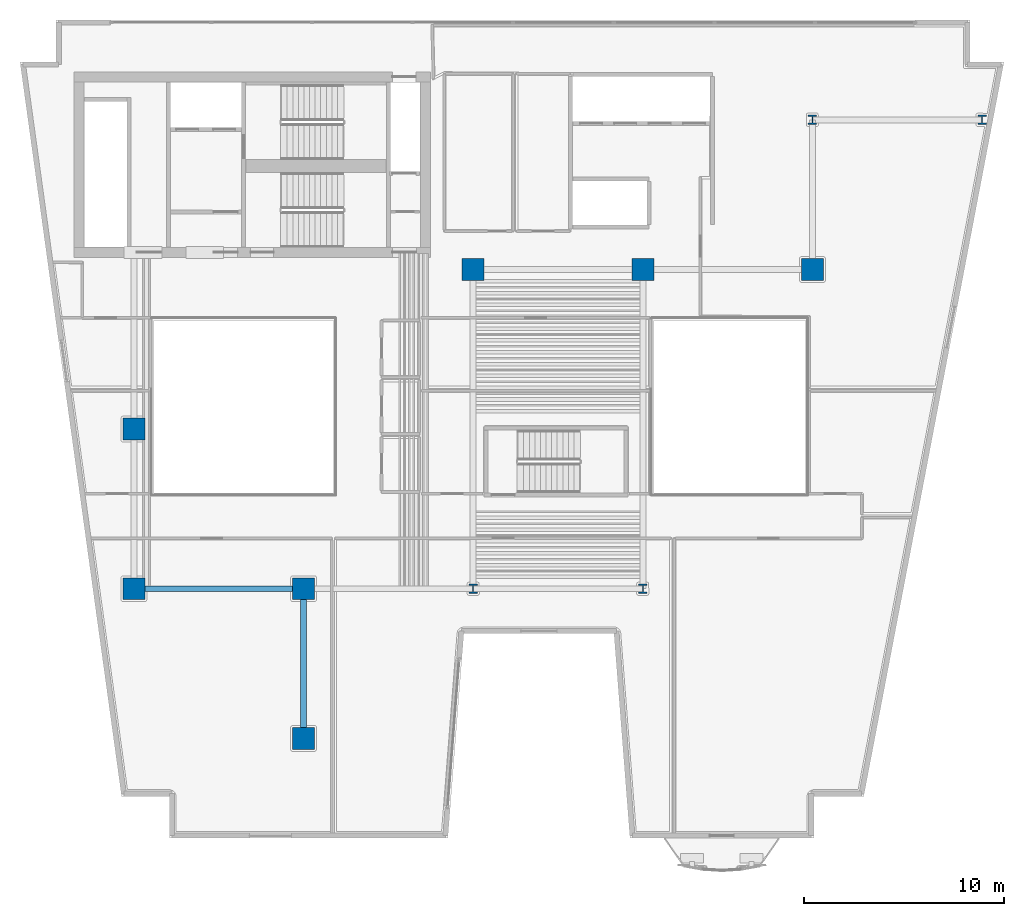
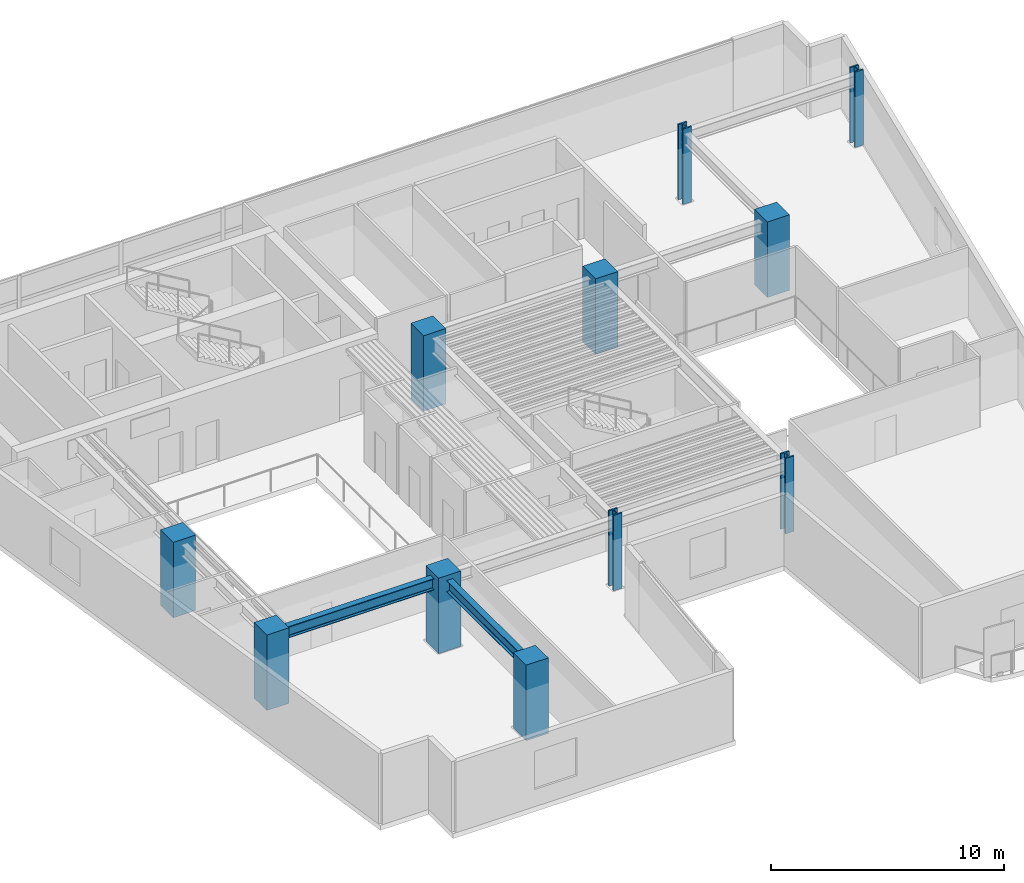
# One storey, part 1 of 13: 11 columns, 2 beams.
"""IFC4 building model written with IfcOpenShell, lengths in metres."""

from ifc_helpers import new_model, si_unit, direction, frame, origin, origin_2d, place, context, subcontext, project, spatial, rectangle, i_section, extrude, material, material_profile, profile_set, type_object, element, save


model = new_model("IFC4")

# Units and contexts
model_context = context("Model", 3, precision=1e-05, world=origin(), true_north=direction((0.0, 1.0)))
body_context = subcontext(model_context, "Body", "Model", "MODEL_VIEW")
ifc_project = project(units=[si_unit("LENGTHUNIT", "METRE"), si_unit("AREAUNIT", "SQUARE_METRE"), si_unit("VOLUMEUNIT", "CUBIC_METRE"), si_unit("PLANEANGLEUNIT", "RADIAN"), si_unit("MASSUNIT", "GRAM", prefix="KILO")], contexts=[model_context])

# Site, building, storey
site_placement = place(None, origin())
site = spatial("IfcSite", under=ifc_project, at=site_placement, CompositionType="ELEMENT")
building_placement = place(site_placement, origin())
building = spatial("IfcBuilding", under=site, at=building_placement, Name="Caeloran Harvest Quay", CompositionType="ELEMENT")
storey_placement = place(building_placement, frame((0.0, 0.0, 139.050048828125)))
storey = spatial("IfcBuildingStorey", under=building, at=storey_placement, Name="L32", CompositionType="ELEMENT", Elevation=139.050048828125)

# Columns
ifc_material_1 = material(Name="Concrete C70/85", Category="concrete")
ifc_material_profile_1 = material_profile(ifc_material_1, rectangle(XDim=1.10009765625, YDim=1.10009765625, at=origin_2d()), Name="RC 1100x1100")
ifc_profile_set_1 = profile_set([ifc_material_profile_1], Name="Concrete C70/85")
column_type_1 = type_object("IfcColumnType", Name="COL-MC-3-RC_1100x1100", PredefinedType="COLUMN", material=ifc_profile_set_1)
for number, where, z_axis, x_axis, name in (
    (1, (8.5, 15.0, 0.0), (0.0, 0.0, 1.0), (1.0, 0.0, 0.0), "L32 Structural Column (8.5, 15.0)"),
    (2, (8.5, 23.0, 0.0), (0.0, 0.0, 1.0), (1.0, 0.0, 0.0), "L32 Structural Column (8.5, 23.0)"),
    (3, (17.0, 7.5, 0.0), (0.0, 0.0, 1.0), (1.0, 0.0, 0.0), "L32 Structural Column (17.0, 7.5)"),
    (4, (17.0, 15.0, 0.0), (0.0, 0.0, 1.0), (1.0, 0.0, 0.0), "L32 Structural Column (17.0, 15.0)"),
    (5, (25.5, 31.0, 0.0), (0.0, 0.0, 1.0), (1.0, 0.0, 0.0), "L32 Structural Column (25.5, 31.0)"),
    (6, (34.0, 31.0, 0.0), (0.0, 0.0, 1.0), (1.0, 0.0, 0.0), "L32 Structural Column (34.0, 31.0)"),
    (7, (42.5, 31.0, 0.0), (0.0, 0.0, 1.0), (1.0, 0.0, 0.0), "L32 Structural Column (42.5, 31.0)"),
):
    element("IfcColumn", number, at=place(storey_placement, frame(where, z_axis=z_axis, x_axis=x_axis)), inside=storey, type_object=column_type_1, Name=name, PredefinedType="COLUMN", context=body_context, shape_type="SweptSolid", body=[
        extrude(rectangle(XDim=1.10009765625, YDim=1.10009765625, at=origin_2d()), origin(), (0.0, 0.0, 1.0), 3.949951171875),
    ])
ifc_material_2 = material(Name="Steel HISTAR 460", Category="steel")
ifc_material_profile_2 = material_profile(ifc_material_2, i_section(OverallWidth=0.424072265625, OverallDepth=0.47412109375, WebThickness=0.047607421875, FlangeThickness=0.076904296875, FilletRadius=0.014892578125, at=origin_2d()), Name="HD 400x634")
ifc_profile_set_2 = profile_set([ifc_material_profile_2], Name="Steel HISTAR 460")
column_type_2 = type_object("IfcColumnType", Name="COL-SC-3-HD_400x634", PredefinedType="COLUMN", material=ifc_profile_set_2)
for number, where, z_axis, x_axis, name in (
    (8, (25.5, 15.0, 0.0), (0.0, 0.0, 1.0), (1.0, 0.0, 0.0), "L32 Structural Column (25.5, 15.0)"),
    (9, (34.0, 15.0, 0.0), (0.0, 0.0, 1.0), (1.0, 0.0, 0.0), "L32 Structural Column (34.0, 15.0)"),
    (10, (42.5, 38.5, 0.0), (0.0, 0.0, 1.0), (1.0, 0.0, 0.0), "L32 Structural Column (42.5, 38.5)"),
    (11, (51.0, 38.5, 0.0), (0.0, 0.0, 1.0), (1.0, 0.0, 0.0), "L32 Structural Column (51.0, 38.5)"),
):
    element("IfcColumn", number, at=place(storey_placement, frame(where, z_axis=z_axis, x_axis=x_axis)), inside=storey, type_object=column_type_2, Name=name, PredefinedType="COLUMN", context=body_context, shape_type="SweptSolid", body=[
        extrude(i_section(OverallWidth=0.424072265625, OverallDepth=0.47412109375, WebThickness=0.047607421875, FlangeThickness=0.076904296875, FilletRadius=0.014892578125, at=origin_2d()), origin(), (0.0, 0.0, 1.0), 3.949951171875),
    ])

# Beams
ifc_material_3 = material(Name="Steel S355J2", Category="steel")
ifc_material_profile_3 = material_profile(ifc_material_3, i_section(OverallWidth=0.300048828125, OverallDepth=0.60009765625, WebThickness=0.015380859375, FlangeThickness=0.030029296875, FilletRadius=0.027099609375, at=origin_2d()), Name="HE 600 B")
ifc_profile_set_3 = profile_set([ifc_material_profile_3], Name="Steel S355J2")
beam_type = type_object("IfcBeamType", Name="BM-PG-3-HE_600_B", PredefinedType="BEAM", material=ifc_profile_set_3)
beam_1_placement = place(storey_placement, frame((8.5, 15.0, 3.389892578125), z_axis=(1.0, 0.0, 0.0), x_axis=(0.0, 1.0, 0.0)))
element("IfcBeam", 12, at=beam_1_placement, inside=storey, type_object=beam_type, Name="L32 Primary East-West Girder Y=15.0", PredefinedType="BEAM", context=body_context, shape_type="SweptSolid", body=[
    extrude(i_section(OverallWidth=0.300048828125, OverallDepth=0.60009765625, WebThickness=0.015380859375, FlangeThickness=0.030029296875, FilletRadius=0.027099609375, at=origin_2d()), origin(), (0.0, 0.0, 1.0), 8.5),
])
beam_2_placement = place(storey_placement, frame((17.0, 7.5, 3.389892578125), z_axis=(0.0, 1.0, 0.0), x_axis=(-1.0, 0.0, 0.0)))
element("IfcBeam", 13, at=beam_2_placement, inside=storey, type_object=beam_type, Name="L32 Primary North-South Girder X=17.0", PredefinedType="BEAM", context=body_context, shape_type="SweptSolid", body=[
    extrude(i_section(OverallWidth=0.300048828125, OverallDepth=0.60009765625, WebThickness=0.015380859375, FlangeThickness=0.030029296875, FilletRadius=0.027099609375, at=origin_2d()), origin(), (0.0, 0.0, 1.0), 7.5),
])

save(model, "model.ifc")
